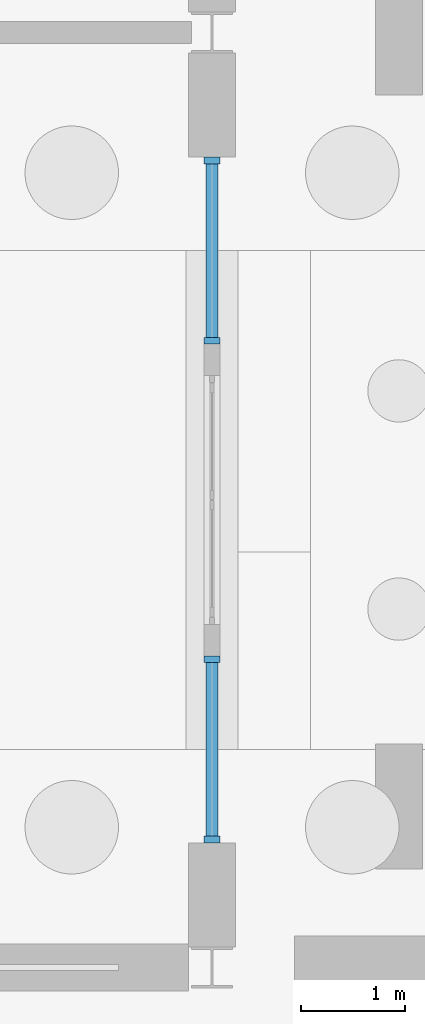
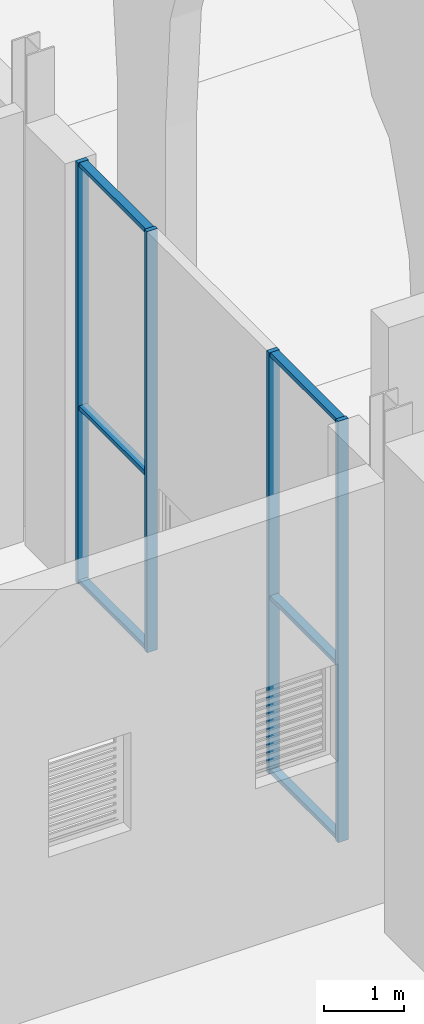
# One storey, part 43 of 250: 10 members, 2 elements without a shape of their own.
"""IFC4 building model written with IfcOpenShell, lengths in metres."""

from ifc_helpers import new_model, si_unit, direction, frame, origin, origin_2d, place, context, subcontext, project, spatial, rectangle, extrude, material, material_profile, profile_set, type_object, element, aggregate, save


model = new_model("IFC4")

# Units and contexts
model_context = context("Model", 3, precision=1e-05, world=origin(), true_north=direction((0.0, 1.0)))
body_context = subcontext(model_context, "Body", "Model", "MODEL_VIEW")
ifc_project = project(units=[si_unit("LENGTHUNIT", "METRE"), si_unit("AREAUNIT", "SQUARE_METRE"), si_unit("VOLUMEUNIT", "CUBIC_METRE"), si_unit("PLANEANGLEUNIT", "RADIAN"), si_unit("MASSUNIT", "GRAM", prefix="KILO")], contexts=[model_context])

# Site, building, storey
site_placement = place(None, origin())
site = spatial("IfcSite", under=ifc_project, at=site_placement, CompositionType="ELEMENT")
building_placement = place(site_placement, origin())
building = spatial("IfcBuilding", under=site, at=building_placement, Name="Baradari Gate Terminus", CompositionType="ELEMENT")
storey_placement = place(building_placement, origin())
storey = spatial("IfcBuildingStorey", under=building, at=storey_placement, Name="L00", CompositionType="ELEMENT", Elevation=0.0)

# Curtain wall, members
ifc_material_1 = material(Name="Aluminium 6063-T6", Category="aluminium")
curtain_wall_type = type_object("IfcCurtainWallType", Name="Curtain wall CW-12 shopfront, other height", PredefinedType="NOTDEFINED", material=ifc_material_1)
curtain_wall_1_placement = place(storey_placement, origin())
curtain_wall_1 = element("IfcCurtainWall", 1, at=curtain_wall_1_placement, inside=storey, type_object=curtain_wall_type, Name="Shopfront curtain wall CW-12 TE bay 13 L00", PredefinedType="NOTDEFINED")
ifc_material_2 = material(Name="Aluminium 6063-T6", Category="aluminium")
ifc_material_profile_1 = material_profile(ifc_material_2, rectangle(XDim=0.14990234375, YDim=0.06494140625, at=origin_2d()), Name="CM-12 65X150")
ifc_profile_set_1 = profile_set([ifc_material_profile_1], Name="Aluminium 6063-T6")
member_type_1 = type_object("IfcMemberType", Name="Curtain wall mullion CM-12 65x150", PredefinedType="MULLION", material=ifc_profile_set_1)
member_1_placement = place(storey_placement, frame((63.0, 118.232421875, 0.0), z_axis=(0.0, 0.0, 1.0), x_axis=(-1.0, 0.0, 0.0)))
member_1 = element("IfcMember", 2, at=member_1_placement, type_object=member_type_1, Name="CW-12 mullion 1", PredefinedType="MULLION", context=body_context, shape_type="SweptSolid", body=[
    extrude(rectangle(XDim=0.14990234375, YDim=0.06494140625, at=origin_2d()), origin(), (0.0, 0.0, 1.0), 6.459716796875),
])
member_2_placement = place(storey_placement, frame((63.0, 119.967529296875, 0.0), z_axis=(0.0, 0.0, 1.0), x_axis=(-1.0, 0.0, 0.0)))
member_2 = element("IfcMember", 3, at=member_2_placement, type_object=member_type_1, Name="CW-12 mullion 2", PredefinedType="MULLION", context=body_context, shape_type="SweptSolid", body=[
    extrude(rectangle(XDim=0.14990234375, YDim=0.06494140625, at=origin_2d()), origin(), (0.0, 0.0, 1.0), 6.459716796875),
])

curtain_wall_2_placement = place(storey_placement, origin())
curtain_wall_2 = element("IfcCurtainWall", 4, at=curtain_wall_2_placement, inside=storey, type_object=curtain_wall_type, Name="Shopfront curtain wall CW-12 TE bay 13 L00", PredefinedType="NOTDEFINED")
member_3_placement = place(storey_placement, frame((63.0, 123.032470703125, 0.0), z_axis=(0.0, 0.0, 1.0), x_axis=(-1.0, 0.0, 0.0)))
member_3 = element("IfcMember", 5, at=member_3_placement, type_object=member_type_1, Name="CW-12 mullion 1", PredefinedType="MULLION", context=body_context, shape_type="SweptSolid", body=[
    extrude(rectangle(XDim=0.14990234375, YDim=0.06494140625, at=origin_2d()), origin(), (0.0, 0.0, 1.0), 6.459716796875),
])
member_4_placement = place(storey_placement, frame((63.0, 124.767578125, 0.0), z_axis=(0.0, 0.0, 1.0), x_axis=(-1.0, 0.0, 0.0)))
member_4 = element("IfcMember", 6, at=member_4_placement, type_object=member_type_1, Name="CW-12 mullion 2", PredefinedType="MULLION", context=body_context, shape_type="SweptSolid", body=[
    extrude(rectangle(XDim=0.14990234375, YDim=0.06494140625, at=origin_2d()), origin(), (0.0, 0.0, 1.0), 6.459716796875),
])

# Member
ifc_material_3 = material(Name="Aluminium 6063-T6", Category="aluminium")
ifc_material_profile_2 = material_profile(ifc_material_3, rectangle(XDim=0.1201171875, YDim=0.06494140625, at=origin_2d()), Name="CT-12 65X120")
ifc_profile_set_2 = profile_set([ifc_material_profile_2], Name="Aluminium 6063-T6")
member_type_2 = type_object("IfcMemberType", Name="Curtain wall transom CT-12 65x120", PredefinedType="USERDEFINED", material=ifc_profile_set_2)
member_5_placement = place(storey_placement, frame((63.0, 118.264892578125, 0.032470703125), z_axis=(0.0, 1.0, 0.0), x_axis=(-1.0, 0.0, 0.0)))
member_5 = element("IfcMember", 7, at=member_5_placement, type_object=member_type_2, Name="CW-12 transom 1.1", ObjectType="TRANSOM", PredefinedType="USERDEFINED", context=body_context, shape_type="SweptSolid", body=[
    extrude(rectangle(XDim=0.1201171875, YDim=0.06494140625, at=origin_2d()), origin(), (0.0, 0.0, 1.0), 1.670166015625),
])

member_6_placement = place(storey_placement, frame((63.0, 118.264892578125, 2.699951171875), z_axis=(0.0, 1.0, 0.0), x_axis=(-1.0, 0.0, 0.0)))
member_6 = element("IfcMember", 8, at=member_6_placement, type_object=member_type_2, Name="CW-12 transom 1.2", ObjectType="TRANSOM", PredefinedType="USERDEFINED", context=body_context, shape_type="SweptSolid", body=[
    extrude(rectangle(XDim=0.1201171875, YDim=0.06494140625, at=origin_2d()), origin(), (0.0, 0.0, 1.0), 1.670166015625),
])

member_7_placement = place(storey_placement, frame((63.0, 118.264892578125, 6.427001953125), z_axis=(0.0, 1.0, 0.0), x_axis=(-1.0, 0.0, 0.0)))
member_7 = element("IfcMember", 9, at=member_7_placement, type_object=member_type_2, Name="CW-12 transom 1.3", ObjectType="TRANSOM", PredefinedType="USERDEFINED", context=body_context, shape_type="SweptSolid", body=[
    extrude(rectangle(XDim=0.1201171875, YDim=0.06494140625, at=origin_2d()), origin(), (0.0, 0.0, 1.0), 1.670166015625),
])

aggregate(curtain_wall_1, [member_1, member_2, member_5, member_6, member_7])

member_8_placement = place(storey_placement, frame((63.0, 123.06494140625, 0.032470703125), z_axis=(0.0, 1.0, 0.0), x_axis=(-1.0, 0.0, 0.0)))
member_8 = element("IfcMember", 10, at=member_8_placement, type_object=member_type_2, Name="CW-12 transom 1.1", ObjectType="TRANSOM", PredefinedType="USERDEFINED", context=body_context, shape_type="SweptSolid", body=[
    extrude(rectangle(XDim=0.1201171875, YDim=0.06494140625, at=origin_2d()), origin(), (0.0, 0.0, 1.0), 1.670166015625),
])

member_9_placement = place(storey_placement, frame((63.0, 123.06494140625, 2.699951171875), z_axis=(0.0, 1.0, 0.0), x_axis=(-1.0, 0.0, 0.0)))
member_9 = element("IfcMember", 11, at=member_9_placement, type_object=member_type_2, Name="CW-12 transom 1.2", ObjectType="TRANSOM", PredefinedType="USERDEFINED", context=body_context, shape_type="SweptSolid", body=[
    extrude(rectangle(XDim=0.1201171875, YDim=0.06494140625, at=origin_2d()), origin(), (0.0, 0.0, 1.0), 1.670166015625),
])

member_10_placement = place(storey_placement, frame((63.0, 123.06494140625, 6.427001953125), z_axis=(0.0, 1.0, 0.0), x_axis=(-1.0, 0.0, 0.0)))
member_10 = element("IfcMember", 12, at=member_10_placement, type_object=member_type_2, Name="CW-12 transom 1.3", ObjectType="TRANSOM", PredefinedType="USERDEFINED", context=body_context, shape_type="SweptSolid", body=[
    extrude(rectangle(XDim=0.1201171875, YDim=0.06494140625, at=origin_2d()), origin(), (0.0, 0.0, 1.0), 1.670166015625),
])

aggregate(curtain_wall_2, [member_3, member_4, member_8, member_9, member_10])

save(model, "model.ifc")
